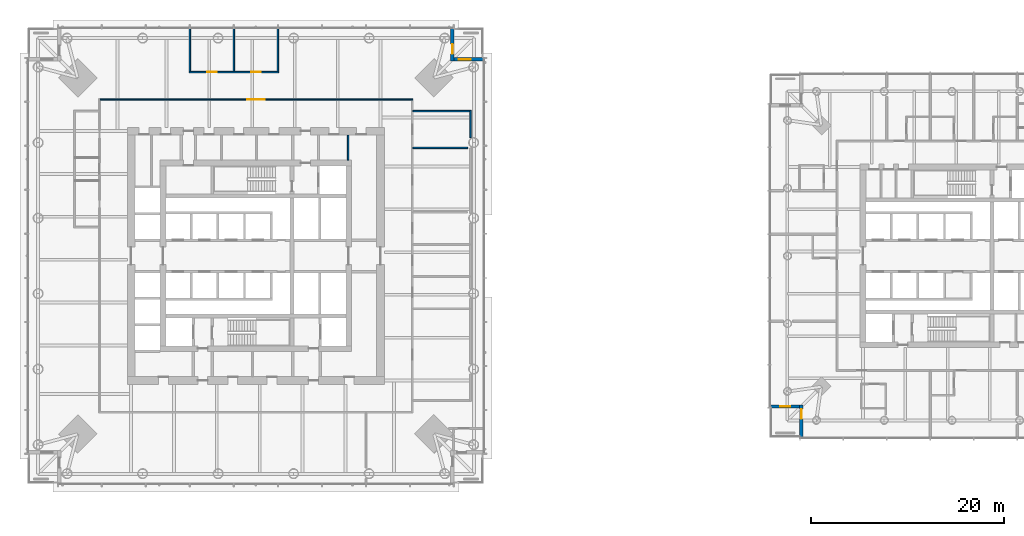
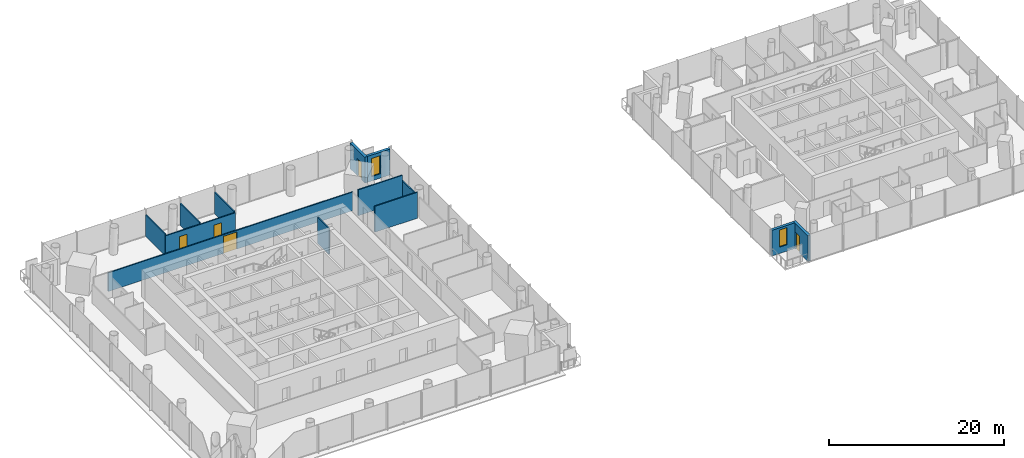
# One storey, part 12 of 26: 13 walls, 5 doors, 2 windows, 7 openings.
"""IFC4 building model written with IfcOpenShell, lengths in metres."""

from ifc_helpers import new_model, si_unit, direction, frame, frame_2d, origin, place, context, subcontext, project, spatial, rectangle, extrude, material, layer, layer_set, type_object, element, fill, save


model = new_model("IFC4")

# Units and contexts
model_context = context("Model", 3, precision=1e-05, world=origin(), true_north=direction((0.0, 1.0)))
body_context = subcontext(model_context, "Body", "Model", "MODEL_VIEW")
ifc_project = project(units=[si_unit("LENGTHUNIT", "METRE"), si_unit("AREAUNIT", "SQUARE_METRE"), si_unit("VOLUMEUNIT", "CUBIC_METRE"), si_unit("PLANEANGLEUNIT", "RADIAN"), si_unit("MASSUNIT", "GRAM", prefix="KILO")], contexts=[model_context])

# Site, building, storey
site_placement = place(None, origin())
site = spatial("IfcSite", under=ifc_project, at=site_placement, CompositionType="ELEMENT")
building_placement = place(site_placement, origin())
building = spatial("IfcBuilding", under=site, at=building_placement, Name="Ostroluk Exchange", CompositionType="ELEMENT")
storey_placement = place(building_placement, frame((0.0, 0.0, 66.60009765625)))
storey = spatial("IfcBuildingStorey", under=building, at=storey_placement, Name="L16", CompositionType="ELEMENT", Elevation=66.60009765625)

# Wall
ifc_material_1 = material(Name="Concrete blockwork", Category="masonry")
ifc_layer_1 = layer(ifc_material_1, 0.14990234375)
ifc_layer_set_1 = layer_set([ifc_layer_1], Name="Blockwork plant room wall 150")
wall_type_1 = type_object("IfcWallType", Name="Blockwork plant room wall 150", PredefinedType="SOLIDWALL", material=ifc_layer_set_1)
wall_1_placement = place(storey_placement, frame((54.550048828125, 55.89990234375, 0.0), z_axis=(0.0, 0.0, 1.0), x_axis=(0.0, 1.0, 0.0)))
element("IfcWall", 1, at=wall_1_placement, inside=storey, type_object=wall_type_1, Name="Core room wall", PredefinedType="SOLIDWALL", context=body_context, shape_type="SweptSolid", body=[
    extrude(rectangle(XDim=2.60009765625, YDim=0.14990234375, at=frame_2d((1.300048828125, 0.0))), origin(), (0.0, 0.0, 1.0), 3.619873046875),
])

# Wall, opening, door
ifc_material_2 = material(Name="Limestone", Category="masonry")
ifc_layer_2 = layer(ifc_material_2, 0.35009765625)
ifc_layer_set_2 = layer_set([ifc_layer_2], Name="Limestone facade wall 350")
wall_type_2 = type_object("IfcWallType", Name="Limestone facade wall 350", PredefinedType="SOLIDWALL", material=ifc_layer_set_2)
wall_2_placement = place(storey_placement, frame((65.324951171875, 69.5, 0.0), z_axis=(0.0, 0.0, 1.0), x_axis=(0.0, -1.0, 0.0)))
wall_2 = element("IfcWall", 2, at=wall_2_placement, inside=storey, type_object=wall_type_2, Name="Office tower NE corner wall L16 a", PredefinedType="SOLIDWALL", context=body_context, shape_type="SweptSolid", body=[
    extrude(rectangle(XDim=3.35009765625, YDim=0.35009765625, at=frame_2d((1.675048828125, 0.0))), origin(), (0.0, 0.0, 1.0), 3.619873046875),
])
opening_1_placement = place(wall_2_placement, frame((1.60009765625, 0.0, 0.0)))
opening_1 = element("IfcOpeningElement", 3, at=opening_1_placement, cuts=wall_2, Name="Opening D-B1", PredefinedType="OPENING", context=body_context, shape_type="SweptSolid", body=[
    extrude(rectangle(XDim=1.0, YDim=2.39990234375, at=frame_2d((0.5, 1.199951171875))), frame((0.0, 0.18505859375, 0.0), z_axis=(0.0, -1.0, 0.0), x_axis=(1.0, 0.0, 0.0)), (0.0, 0.0, 1.0), 0.3701171875),
])
ifc_material_3 = material(Name="Bronze framed glazed door", Category="aluminium")
door_type_1 = type_object("IfcDoorType", Name="Balcony door 1000 x 2400", OperationType="SINGLE_SWING_LEFT", PredefinedType="DOOR", material=ifc_material_3)
door_1_placement = place(opening_1_placement, origin())
door_1 = element("IfcDoor", 4, at=door_1_placement, inside=storey, type_object=door_type_1, Name="Office tower NE balcony door L16", OperationType="SINGLE_SWING_RIGHT", OverallHeight=2.39990234375, OverallWidth=1.0, PredefinedType="DOOR", context=body_context, shape_type="SweptSolid", body=[
    extrude(rectangle(XDim=1.0, YDim=2.39990234375, at=frame_2d((0.5, 1.199951171875))), frame((0.0, 0.02490234375, 0.0), z_axis=(0.0, -1.0, 0.0), x_axis=(1.0, 0.0, 0.0)), (0.0, 0.0, 1.0), 0.050048828125),
])
fill(opening_1, door_1)

# Wall, opening, window
wall_3_placement = place(storey_placement, frame((65.5, 66.324951171875, 0.0), z_axis=(0.0, 0.0, 1.0), x_axis=(1.0, 0.0, 0.0)))
wall_3 = element("IfcWall", 5, at=wall_3_placement, inside=storey, type_object=wall_type_2, Name="Office tower NE corner wall L16 b", PredefinedType="SOLIDWALL", context=body_context, shape_type="SweptSolid", body=[
    extrude(rectangle(XDim=3.0, YDim=0.35009765625, at=frame_2d((1.5, 0.0))), origin(), (0.0, 0.0, 1.0), 3.619873046875),
])
opening_2_placement = place(wall_3_placement, frame((0.5, 0.0, 0.60009765625)))
opening_2 = element("IfcOpeningElement", 6, at=opening_2_placement, cuts=wall_3, Name="Opening WN-L1", PredefinedType="OPENING", context=body_context, shape_type="SweptSolid", body=[
    extrude(rectangle(XDim=1.199951171875, YDim=2.550048828125, at=frame_2d((0.60009765625, 1.27490234375))), frame((0.0, 0.18505859375, 0.0), z_axis=(0.0, -1.0, 0.0), x_axis=(1.0, 0.0, 0.0)), (0.0, 0.0, 1.0), 0.3701171875),
])
ifc_material_4 = material(Name="Laminated clear glass", Category="glass")
window_type_1 = type_object("IfcWindowType", Name="Lancet window 1200 x 2550", PartitioningType="SINGLE_PANEL", PredefinedType="WINDOW", material=ifc_material_4)
window_1_placement = place(opening_2_placement, origin())
window_1 = element("IfcWindow", 7, at=window_1_placement, inside=storey, type_object=window_type_1, Name="Office tower NE lancet window L16", OverallHeight=2.550048828125, OverallWidth=1.199951171875, PartitioningType="SINGLE_PANEL", PredefinedType="WINDOW", context=body_context, shape_type="SweptSolid", body=[
    extrude(rectangle(XDim=1.199951171875, YDim=2.550048828125, at=frame_2d((0.60009765625, 1.27490234375))), frame((0.0, 0.030029296875, 0.0), z_axis=(0.0, -1.0, 0.0), x_axis=(1.0, 0.0, 0.0)), (0.0, 0.0, 1.0), 0.06005859375),
])
fill(opening_2, window_1)

# Wall, opening, door
wall_4_placement = place(storey_placement, frame((101.425048828125, 27.25, 0.0), z_axis=(0.0, 0.0, 1.0), x_axis=(0.0, 1.0, 0.0)))
wall_4 = element("IfcWall", 8, at=wall_4_placement, inside=storey, type_object=wall_type_2, Name="Hotel tower SW corner wall L16 a", PredefinedType="SOLIDWALL", context=body_context, shape_type="SweptSolid", body=[
    extrude(rectangle(XDim=3.35009765625, YDim=0.35009765625, at=frame_2d((1.675048828125, 0.0))), origin(), (0.0, 0.0, 1.0), 3.599853515625),
])
opening_3_placement = place(wall_4_placement, frame((1.89990234375, 0.0, 0.0)))
opening_3 = element("IfcOpeningElement", 9, at=opening_3_placement, cuts=wall_4, Name="Opening D-B1", PredefinedType="OPENING", context=body_context, shape_type="SweptSolid", body=[
    extrude(rectangle(XDim=1.0, YDim=2.39990234375, at=frame_2d((0.5, 1.199951171875))), frame((0.0, 0.18505859375, 0.0), z_axis=(0.0, -1.0, 0.0), x_axis=(1.0, 0.0, 0.0)), (0.0, 0.0, 1.0), 0.3701171875),
])
door_2_placement = place(opening_3_placement, origin())
door_2 = element("IfcDoor", 10, at=door_2_placement, inside=storey, type_object=door_type_1, Name="Hotel tower SW balcony door L16", OperationType="SINGLE_SWING_RIGHT", OverallHeight=2.39990234375, OverallWidth=1.0, PredefinedType="DOOR", context=body_context, shape_type="SweptSolid", body=[
    extrude(rectangle(XDim=1.0, YDim=2.39990234375, at=frame_2d((0.5, 1.199951171875))), frame((0.0, 0.02490234375, 0.0), z_axis=(0.0, -1.0, 0.0), x_axis=(1.0, 0.0, 0.0)), (0.0, 0.0, 1.0), 0.050048828125),
])
fill(opening_3, door_2)

# Wall, opening, window
wall_5_placement = place(storey_placement, frame((101.25, 30.425048828125, 0.0), z_axis=(0.0, 0.0, 1.0), x_axis=(-1.0, 0.0, 0.0)))
wall_5 = element("IfcWall", 11, at=wall_5_placement, inside=storey, type_object=wall_type_2, Name="Hotel tower SW corner wall L16 b", PredefinedType="SOLIDWALL", context=body_context, shape_type="SweptSolid", body=[
    extrude(rectangle(XDim=3.0, YDim=0.35009765625, at=frame_2d((1.5, 0.0))), origin(), (0.0, 0.0, 1.0), 3.599853515625),
])
opening_4_placement = place(wall_5_placement, frame((1.0, 0.0, 0.89990234375)))
opening_4 = element("IfcOpeningElement", 12, at=opening_4_placement, cuts=wall_5, Name="Opening WN-L3", PredefinedType="OPENING", context=body_context, shape_type="SweptSolid", body=[
    extrude(rectangle(XDim=1.0, YDim=2.39990234375, at=frame_2d((0.5, 1.199951171875))), frame((0.0, 0.18505859375, 0.0), z_axis=(0.0, -1.0, 0.0), x_axis=(1.0, 0.0, 0.0)), (0.0, 0.0, 1.0), 0.3701171875),
])
ifc_material_5 = material(Name="Laminated clear glass", Category="glass")
window_type_2 = type_object("IfcWindowType", Name="Hotel lancet window 1000 x 2400", PartitioningType="SINGLE_PANEL", PredefinedType="WINDOW", material=ifc_material_5)
window_2_placement = place(opening_4_placement, origin())
window_2 = element("IfcWindow", 13, at=window_2_placement, inside=storey, type_object=window_type_2, Name="Hotel tower SW lancet window L16", OverallHeight=2.39990234375, OverallWidth=1.0, PartitioningType="SINGLE_PANEL", PredefinedType="WINDOW", context=body_context, shape_type="SweptSolid", body=[
    extrude(rectangle(XDim=1.0, YDim=2.39990234375, at=frame_2d((0.5, 1.199951171875))), frame((0.0, 0.030029296875, 0.0), z_axis=(0.0, -1.0, 0.0), x_axis=(1.0, 0.0, 0.0)), (0.0, 0.0, 1.0), 0.06005859375),
])
fill(opening_4, window_2)

# Walls
ifc_material_6 = material(Name="Gypsum plasterboard partition", Category="gypsum")
ifc_layer_3 = layer(ifc_material_6, 0.14990234375)
ifc_layer_set_3 = layer_set([ifc_layer_3], Name="Plasterboard partition 150")
wall_type_3 = type_object("IfcWallType", Name="Plasterboard partition 150", PredefinedType="PARTITIONING", material=ifc_layer_set_3)
wall_6_placement = place(storey_placement, frame((61.25, 57.171875, 0.0), z_axis=(0.0, 0.0, 1.0), x_axis=(1.0, 0.0, 0.0)))
element("IfcWall", 14, at=wall_6_placement, inside=storey, type_object=wall_type_3, Name="Partition", PredefinedType="PARTITIONING", context=body_context, shape_type="SweptSolid", body=[
    extrude(rectangle(XDim=5.663330078125, YDim=0.14990234375, at=frame_2d((2.83154296875, 0.0))), origin(), (0.0, 0.0, 1.0), 3.619873046875),
])
wall_7_placement = place(storey_placement, frame((61.25, 60.97509765625, 0.0), z_axis=(0.0, 0.0, 1.0), x_axis=(1.0, 0.0, 0.0)))
element("IfcWall", 15, at=wall_7_placement, inside=storey, type_object=wall_type_3, Name="Partition", PredefinedType="PARTITIONING", context=body_context, shape_type="SweptSolid", body=[
    extrude(rectangle(XDim=5.85009765625, YDim=0.14990234375, at=frame_2d((2.925048828125, 0.0))), origin(), (0.0, 0.0, 1.0), 3.619873046875),
])
wall_8_placement = place(storey_placement, frame((67.175048828125, 58.233642578125, 0.0), z_axis=(0.0, 0.0, 1.0), x_axis=(0.0, 1.0, 0.0)))
element("IfcWall", 16, at=wall_8_placement, inside=storey, type_object=wall_type_3, Name="Partition", PredefinedType="PARTITIONING", context=body_context, shape_type="SweptSolid", body=[
    extrude(rectangle(XDim=2.81640625, YDim=0.14990234375, at=frame_2d((1.408203125, 0.0))), origin(), (0.0, 0.0, 1.0), 2.805908203125),
])

# Wall, openings, doors
wall_9_placement = place(storey_placement, frame((47.352783203125, 65.0, 0.0), z_axis=(0.0, 0.0, 1.0), x_axis=(-1.0, 0.0, 0.0)))
wall_9 = element("IfcWall", 17, at=wall_9_placement, inside=storey, type_object=wall_type_3, Name="Partition", PredefinedType="PARTITIONING", context=body_context, shape_type="SweptSolid", body=[
    extrude(rectangle(XDim=9.26123046875, YDim=0.14990234375, at=frame_2d((4.630615234375, 0.0))), origin(), (0.0, 0.0, 1.0), 2.849853515625),
])
opening_5_placement = place(wall_9_placement, frame((1.852783203125, 0.0, 0.0)))
opening_5 = element("IfcOpeningElement", 18, at=opening_5_placement, cuts=wall_9, Name="Opening D-03", PredefinedType="OPENING", context=body_context, shape_type="SweptSolid", body=[
    extrude(rectangle(XDim=1.0, YDim=2.10009765625, at=frame_2d((0.5, 1.050048828125))), frame((0.0, 0.0849609375, 0.0), z_axis=(0.0, -1.0, 0.0), x_axis=(1.0, 0.0, 0.0)), (0.0, 0.0, 1.0), 0.169921875),
])
opening_6_placement = place(wall_9_placement, frame((6.408447265625, 0.0, 0.0)))
opening_6 = element("IfcOpeningElement", 19, at=opening_6_placement, cuts=wall_9, Name="Opening D-03", PredefinedType="OPENING", context=body_context, shape_type="SweptSolid", body=[
    extrude(rectangle(XDim=1.0, YDim=2.10009765625, at=frame_2d((0.5, 1.050048828125))), frame((0.0, 0.0849609375, 0.0), z_axis=(0.0, -1.0, 0.0), x_axis=(1.0, 0.0, 0.0)), (0.0, 0.0, 1.0), 0.169921875),
])
ifc_material_7 = material(Name="Timber", Category="wood")
door_type_2 = type_object("IfcDoorType", Name="Internal door 1000 x 2100", OperationType="SINGLE_SWING_LEFT", PredefinedType="DOOR", material=ifc_material_7)
door_3_placement = place(opening_5_placement, origin())
door_3 = element("IfcDoor", 20, at=door_3_placement, inside=storey, type_object=door_type_2, Name="Office door", OperationType="SINGLE_SWING_LEFT", OverallHeight=2.10009765625, OverallWidth=1.0, PredefinedType="DOOR", context=body_context, shape_type="SweptSolid", body=[
    extrude(rectangle(XDim=1.0, YDim=2.10009765625, at=frame_2d((0.5, 1.050048828125))), frame((0.0, 0.02490234375, 0.0), z_axis=(0.0, -1.0, 0.0), x_axis=(1.0, 0.0, 0.0)), (0.0, 0.0, 1.0), 0.050048828125),
])
fill(opening_5, door_3)
door_4_placement = place(opening_6_placement, origin())
door_4 = element("IfcDoor", 21, at=door_4_placement, inside=storey, type_object=door_type_2, Name="Office door", OperationType="SINGLE_SWING_RIGHT", OverallHeight=2.10009765625, OverallWidth=1.0, PredefinedType="DOOR", context=body_context, shape_type="SweptSolid", body=[
    extrude(rectangle(XDim=1.0, YDim=2.10009765625, at=frame_2d((0.5, 1.050048828125))), frame((0.0, 0.02490234375, 0.0), z_axis=(0.0, -1.0, 0.0), x_axis=(1.0, 0.0, 0.0)), (0.0, 0.0, 1.0), 0.050048828125),
])
fill(opening_6, door_4)

# Walls
for number, where, z_axis, x_axis, name in (
    (22, (47.27783203125, 65.074951171875, 0.0), (0.0, 0.0, 1.0), (0.0, 1.0, 0.0), "Partition"),
    (23, (42.72216796875, 65.074951171875, 0.0), (0.0, 0.0, 1.0), (0.0, 1.0, 0.0), "Partition"),
    (24, (38.166748046875, 65.074951171875, 0.0), (0.0, 0.0, 1.0), (0.0, 1.0, 0.0), "Partition"),
):
    element("IfcWall", number, at=place(storey_placement, frame(where, z_axis=z_axis, x_axis=x_axis)), inside=storey, type_object=wall_type_3, Name=name, PredefinedType="PARTITIONING", context=body_context, shape_type="SweptSolid", body=[
        extrude(rectangle(XDim=4.465087890625, YDim=0.14990234375, at=frame_2d((2.232421875, 0.0))), origin(), (0.0, 0.0, 1.0), 3.02001953125),
    ])

# Wall, opening, door
wall_10_placement = place(storey_placement, frame((61.25, 62.175048828125, 0.0), z_axis=(0.0, 0.0, 1.0), x_axis=(-1.0, 0.0, 0.0)))
wall_10 = element("IfcWall", 25, at=wall_10_placement, inside=storey, type_object=wall_type_3, Name="Corridor wall", PredefinedType="PARTITIONING", context=body_context, shape_type="SweptSolid", body=[
    extrude(rectangle(XDim=32.35009765625, YDim=0.14990234375, at=frame_2d((16.175048828125, 0.0))), origin(), (0.0, 0.0, 1.0), 2.61181640625),
])
opening_7_placement = place(wall_10_placement, frame((15.35009765625, 0.0, 0.0)))
opening_7 = element("IfcOpeningElement", 26, at=opening_7_placement, cuts=wall_10, Name="Opening D-04", PredefinedType="OPENING", context=body_context, shape_type="SweptSolid", body=[
    extrude(rectangle(XDim=1.800048828125, YDim=2.39990234375, at=frame_2d((0.89990234375, 1.199951171875))), frame((0.0, 0.0849609375, 0.0), z_axis=(0.0, -1.0, 0.0), x_axis=(1.0, 0.0, 0.0)), (0.0, 0.0, 1.0), 0.169921875),
])
ifc_material_8 = material(Name="Timber", Category="wood")
door_type_3 = type_object("IfcDoorType", Name="Double door 1800 x 2400", OperationType="DOUBLE_DOOR_SINGLE_SWING", PredefinedType="DOOR", material=ifc_material_8)
door_5_placement = place(opening_7_placement, origin())
door_5 = element("IfcDoor", 27, at=door_5_placement, inside=storey, type_object=door_type_3, Name="Open plan office door", OperationType="DOUBLE_DOOR_SINGLE_SWING", OverallHeight=2.39990234375, OverallWidth=1.800048828125, PredefinedType="DOOR", context=body_context, shape_type="SweptSolid", body=[
    extrude(rectangle(XDim=1.800048828125, YDim=2.39990234375, at=frame_2d((0.89990234375, 1.199951171875))), frame((0.0, 0.02490234375, 0.0), z_axis=(0.0, -1.0, 0.0), x_axis=(1.0, 0.0, 0.0)), (0.0, 0.0, 1.0), 0.050048828125),
])
fill(opening_7, door_5)

save(model, "model.ifc")
